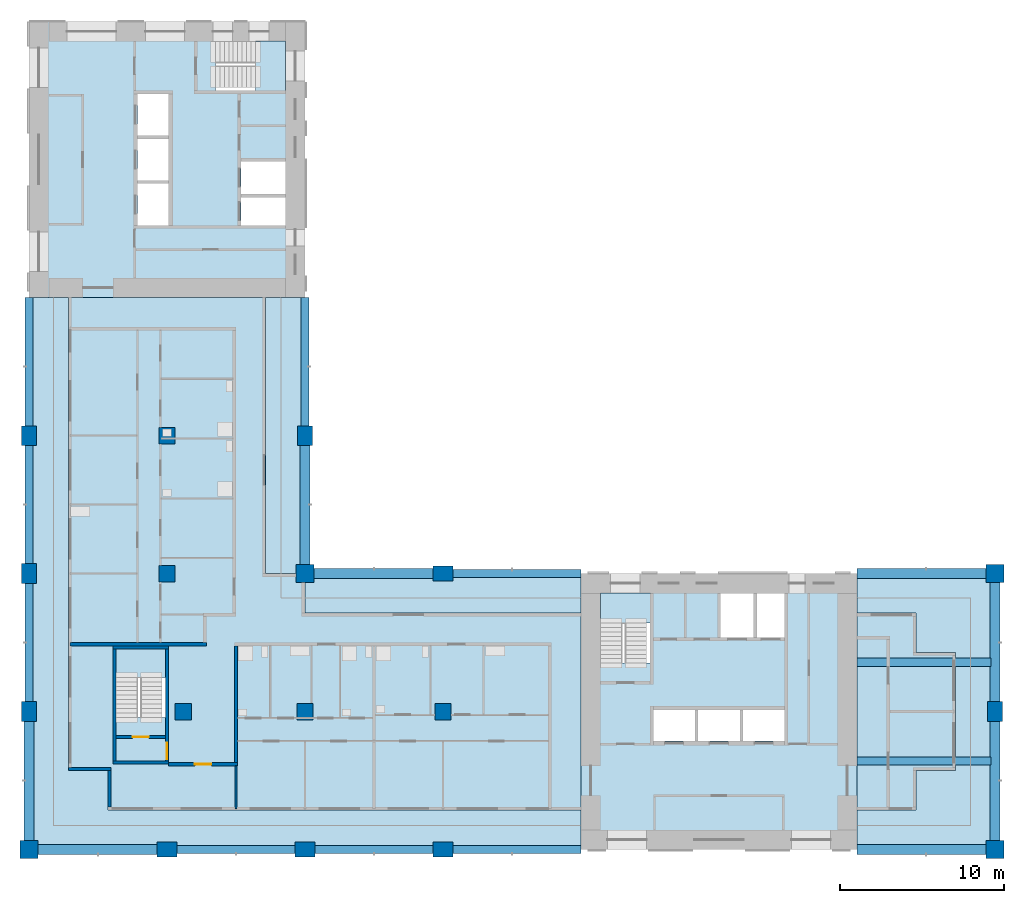
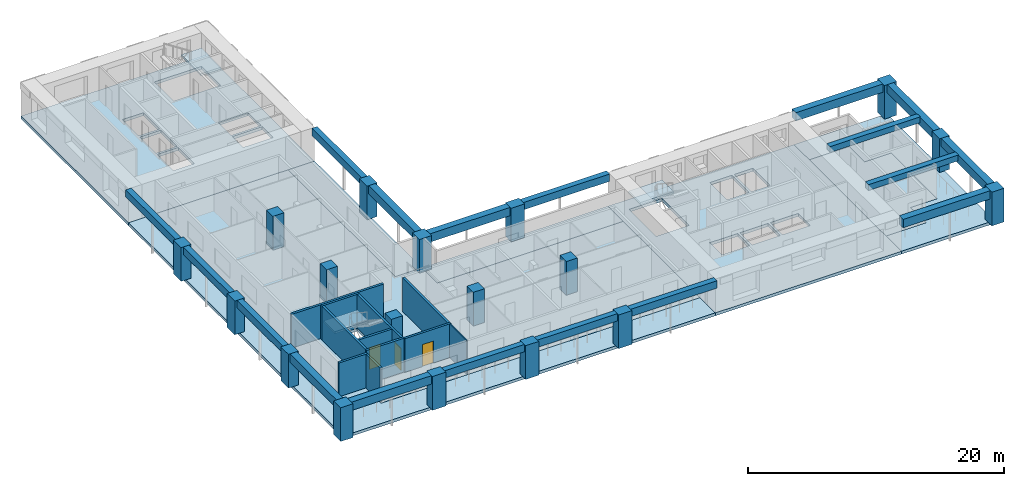
# One storey, part 1 of 10: 18 beams, 18 columns, 12 slabs, 11 walls, 3 doors, 3 openings, 3 elements without a shape of their own.
"""IFC4 building model written with IfcOpenShell, lengths in metres."""

from ifc_helpers import new_model, si_unit, direction, frame, frame_2d, origin, origin_2d, place, context, subcontext, project, spatial, polyline, rectangle, outline, extrude, material, layer, layer_set, material_profile, profile_set, type_object, element, fill, aggregate, save


model = new_model("IFC4")

# Units and contexts
model_context = context("Model", 3, precision=1e-05, world=origin(), true_north=direction((0.0, 1.0)))
body_context = subcontext(model_context, "Body", "Model", "MODEL_VIEW")
ifc_project = project(units=[si_unit("LENGTHUNIT", "METRE"), si_unit("AREAUNIT", "SQUARE_METRE"), si_unit("VOLUMEUNIT", "CUBIC_METRE"), si_unit("PLANEANGLEUNIT", "RADIAN"), si_unit("MASSUNIT", "GRAM", prefix="KILO")], contexts=[model_context])

# Site, building, storey
site_placement = place(None, origin())
site = spatial("IfcSite", under=ifc_project, at=site_placement, CompositionType="ELEMENT")
building_placement = place(site_placement, origin())
building = spatial("IfcBuilding", under=site, at=building_placement, Name="Vermilion Gate Residences", CompositionType="ELEMENT")
storey_placement = place(building_placement, frame((0.0, 0.0, 168.699951171875)))
storey = spatial("IfcBuildingStorey", under=building, at=storey_placement, Name="L43", CompositionType="ELEMENT", Elevation=168.699951171875)

# Columns
ifc_material_1 = material(Name="Concrete C60", Category="concrete")
ifc_material_profile_1 = material_profile(ifc_material_1, rectangle(XDim=1.0, YDim=1.0, at=origin_2d()), Name="RC-1000x1000")
ifc_profile_set_1 = profile_set([ifc_material_profile_1], Name="Concrete C60")
column_type_1 = type_object("IfcColumnType", Name="RC COLUMN 1000 X 1000 C60", PredefinedType="COLUMN", material=ifc_profile_set_1)
for number, where, z_axis, x_axis, name in (
    (1, (17.800048828125, 16.800048828125, 0.0), (0.0, 0.0, 1.0), (1.0, 0.0, 0.0), "Column 3-C L43"),
    (2, (16.800048828125, 25.199951171875, 0.0), (0.0, 0.0, 1.0), (1.0, 0.0, 0.0), "Column 3-D L43"),
    (3, (16.800048828125, 33.60009765625, 0.0), (0.0, 0.0, 1.0), (1.0, 0.0, 0.0), "Column 3-E L43"),
    (4, (25.199951171875, 16.800048828125, 0.0), (0.0, 0.0, 1.0), (1.0, 0.0, 0.0), "Column 4-C L43"),
    (5, (33.60009765625, 16.800048828125, 0.0), (0.0, 0.0, 1.0), (1.0, 0.0, 0.0), "Column 5-C L43"),
):
    element("IfcColumn", number, at=place(storey_placement, frame(where, z_axis=z_axis, x_axis=x_axis)), inside=storey, type_object=column_type_1, Name=name, PredefinedType="COLUMN", context=body_context, shape_type="SweptSolid", body=[
        extrude(rectangle(XDim=1.0, YDim=1.0, at=origin_2d()), origin(), (0.0, 0.0, 1.0), 3.219970703125),
    ])
ifc_material_2 = material(Name="Concrete C60", Category="concrete")
ifc_material_profile_2 = material_profile(ifc_material_2, rectangle(XDim=1.10009765625, YDim=1.10009765625, at=origin_2d()), Name="RC-1100x1100")
ifc_profile_set_2 = profile_set([ifc_material_profile_2], Name="Concrete C60")
column_type_2 = type_object("IfcColumnType", Name="RC COLUMN 1100 X 1100 C60", PredefinedType="COLUMN", material=ifc_profile_set_2)
for number, where, z_axis, x_axis, name in (
    (6, (8.39990234375, 8.39990234375, 0.0), (0.0, 0.0, 1.0), (1.0, 0.0, 0.0), "Column 2-B L43"),
    (7, (25.199951171875, 25.199951171875, 0.0), (0.0, 0.0, 1.0), (1.0, 0.0, 0.0), "Column 4-D L43"),
    (8, (67.199951171875, 8.39990234375, 0.0), (0.0, 0.0, 1.0), (1.0, 0.0, 0.0), "Column 9-B L43"),
    (9, (67.199951171875, 25.199951171875, 0.0), (0.0, 0.0, 1.0), (1.0, 0.0, 0.0), "Column 9-D L43"),
):
    element("IfcColumn", number, at=place(storey_placement, frame(where, z_axis=z_axis, x_axis=x_axis)), inside=storey, type_object=column_type_2, Name=name, PredefinedType="COLUMN", context=body_context, shape_type="SweptSolid", body=[
        extrude(rectangle(XDim=1.10009765625, YDim=1.10009765625, at=origin_2d()), origin(), (0.0, 0.0, 1.0), 3.219970703125),
    ])
ifc_material_3 = material(Name="Concrete C60", Category="concrete")
ifc_material_profile_3 = material_profile(ifc_material_3, rectangle(XDim=1.199951171875, YDim=0.89990234375, at=origin_2d()), Name="RC-1200x900")
ifc_profile_set_3 = profile_set([ifc_material_profile_3], Name="Concrete C60")
column_type_3 = type_object("IfcColumnType", Name="RC COLUMN 1200 X 900 C60", PredefinedType="COLUMN", material=ifc_profile_set_3)
for number, where, z_axis, x_axis, name in (
    (10, (8.39990234375, 16.800048828125, 0.0), (0.0, 0.0, 1.0), (0.0, 1.0, 0.0), "Column 2-C L43"),
    (11, (8.39990234375, 25.199951171875, 0.0), (0.0, 0.0, 1.0), (0.0, 1.0, 0.0), "Column 2-D L43"),
    (12, (8.39990234375, 33.60009765625, 0.0), (0.0, 0.0, 1.0), (0.0, 1.0, 0.0), "Column 2-E L43"),
    (13, (16.800048828125, 8.39990234375, 0.0), (0.0, 0.0, 1.0), (1.0, 0.0, 0.0), "Column 3-B L43"),
    (14, (25.199951171875, 8.39990234375, 0.0), (0.0, 0.0, 1.0), (1.0, 0.0, 0.0), "Column 4-B L43"),
    (15, (25.199951171875, 33.60009765625, 0.0), (0.0, 0.0, 1.0), (0.0, 1.0, 0.0), "Column 4-E L43"),
    (16, (33.60009765625, 8.39990234375, 0.0), (0.0, 0.0, 1.0), (1.0, 0.0, 0.0), "Column 5-B L43"),
    (17, (33.60009765625, 25.199951171875, 0.0), (0.0, 0.0, 1.0), (1.0, 0.0, 0.0), "Column 5-D L43"),
    (18, (67.199951171875, 16.800048828125, 0.0), (0.0, 0.0, 1.0), (0.0, 1.0, 0.0), "Column 9-C L43"),
):
    element("IfcColumn", number, at=place(storey_placement, frame(where, z_axis=z_axis, x_axis=x_axis)), inside=storey, type_object=column_type_3, Name=name, PredefinedType="COLUMN", context=body_context, shape_type="SweptSolid", body=[
        extrude(rectangle(XDim=1.199951171875, YDim=0.89990234375, at=origin_2d()), origin(), (0.0, 0.0, 1.0), 3.219970703125),
    ])

# Beams
ifc_material_4 = material(Name="Concrete C60 red-oxide pigmented", Category="concrete")
ifc_material_profile_4 = material_profile(ifc_material_4, rectangle(XDim=0.60009765625, YDim=0.800048828125, at=origin_2d()), Name="RC-600x800")
ifc_profile_set_4 = profile_set([ifc_material_profile_4], Name="Concrete C60 red-oxide pigmented")
beam_type_1 = type_object("IfcBeamType", Name="RC CORNER EDGE BEAM 600 X 800 C60", PredefinedType="BEAM", material=ifc_profile_set_4)
for number, where, z_axis, x_axis, name in (
    (19, (8.949951171875, 8.39990234375, 2.820068359375), (1.0, 0.0, 0.0), (0.0, 1.0, 0.0), "Corner edge beam L43 1"),
    (20, (8.39990234375, 8.949951171875, 2.820068359375), (0.0, 1.0, 0.0), (-1.0, 0.0, 0.0), "Corner edge beam L43 2"),
    (21, (25.199951171875, 25.75, 2.820068359375), (0.0, 1.0, 0.0), (-1.0, 0.0, 0.0), "Corner edge beam L43 7"),
    (22, (25.75, 25.199951171875, 2.820068359375), (1.0, 0.0, 0.0), (0.0, 1.0, 0.0), "Corner edge beam L43 10"),
):
    element("IfcBeam", number, at=place(storey_placement, frame(where, z_axis=z_axis, x_axis=x_axis)), inside=storey, type_object=beam_type_1, Name=name, PredefinedType="BEAM", context=body_context, shape_type="SweptSolid", body=[
        extrude(rectangle(XDim=0.60009765625, YDim=0.800048828125, at=origin_2d()), origin(), (0.0, 0.0, 1.0), 7.25),
    ])
beam_1_placement = place(storey_placement, frame((58.800048828125, 8.39990234375, 2.820068359375), z_axis=(1.0, 0.0, 0.0), x_axis=(0.0, 1.0, 0.0)))
element("IfcBeam", 23, at=beam_1_placement, inside=storey, type_object=beam_type_1, Name="Corner edge beam L43 13", PredefinedType="BEAM", context=body_context, shape_type="SweptSolid", body=[
    extrude(rectangle(XDim=0.60009765625, YDim=0.800048828125, at=origin_2d()), origin(), (0.0, 0.0, 1.0), 7.849853515625),
])
for number, where, z_axis, x_axis, name in (
    (24, (67.199951171875, 8.949951171875, 2.820068359375), (0.0, 1.0, 0.0), (-1.0, 0.0, 0.0), "Corner edge beam L43 14"),
    (25, (67.199951171875, 17.39990234375, 2.820068359375), (0.0, 1.0, 0.0), (-1.0, 0.0, 0.0), "Corner edge beam L43 15"),
):
    element("IfcBeam", number, at=place(storey_placement, frame(where, z_axis=z_axis, x_axis=x_axis)), inside=storey, type_object=beam_type_1, Name=name, PredefinedType="BEAM", context=body_context, shape_type="SweptSolid", body=[
        extrude(rectangle(XDim=0.60009765625, YDim=0.800048828125, at=origin_2d()), origin(), (0.0, 0.0, 1.0), 7.25),
    ])
beam_2_placement = place(storey_placement, frame((58.800048828125, 25.199951171875, 2.820068359375), z_axis=(1.0, 0.0, 0.0), x_axis=(0.0, 1.0, 0.0)))
element("IfcBeam", 26, at=beam_2_placement, inside=storey, type_object=beam_type_1, Name="Corner edge beam L43 16", PredefinedType="BEAM", context=body_context, shape_type="SweptSolid", body=[
    extrude(rectangle(XDim=0.60009765625, YDim=0.800048828125, at=origin_2d()), origin(), (0.0, 0.0, 1.0), 7.849853515625),
])
ifc_material_5 = material(Name="Concrete C60 red-oxide pigmented", Category="concrete")
ifc_material_profile_5 = material_profile(ifc_material_5, rectangle(XDim=0.5, YDim=0.699951171875, at=origin_2d()), Name="RC-500x700")
ifc_profile_set_5 = profile_set([ifc_material_profile_5], Name="Concrete C60 red-oxide pigmented")
beam_type_2 = type_object("IfcBeamType", Name="RC EDGE BEAM 500 X 700 C60", PredefinedType="BEAM", material=ifc_profile_set_5)
beam_3_placement = place(storey_placement, frame((8.39990234375, 17.39990234375, 2.8701171875), z_axis=(0.0, 1.0, 0.0), x_axis=(-1.0, 0.0, 0.0)))
element("IfcBeam", 27, at=beam_3_placement, inside=storey, type_object=beam_type_2, Name="Edge beam L43 3", PredefinedType="BEAM", context=body_context, shape_type="SweptSolid", body=[
    extrude(rectangle(XDim=0.5, YDim=0.699951171875, at=origin_2d()), origin(), (0.0, 0.0, 1.0), 7.2001953125),
])
beam_4_placement = place(storey_placement, frame((8.39990234375, 25.800048828125, 2.8701171875), z_axis=(0.0, 1.0, 0.0), x_axis=(-1.0, 0.0, 0.0)))
element("IfcBeam", 28, at=beam_4_placement, inside=storey, type_object=beam_type_2, Name="Edge beam L43 4", PredefinedType="BEAM", context=body_context, shape_type="SweptSolid", body=[
    extrude(rectangle(XDim=0.5, YDim=0.699951171875, at=origin_2d()), origin(), (0.0, 0.0, 1.0), 7.199951171875),
])
beam_5_placement = place(storey_placement, frame((8.39990234375, 34.199951171875, 2.8701171875), z_axis=(0.0, 1.0, 0.0), x_axis=(-1.0, 0.0, 0.0)))
element("IfcBeam", 29, at=beam_5_placement, inside=storey, type_object=beam_type_2, Name="Edge beam L43 5", PredefinedType="BEAM", context=body_context, shape_type="SweptSolid", body=[
    extrude(rectangle(XDim=0.5, YDim=0.699951171875, at=origin_2d()), origin(), (0.0, 0.0, 1.0), 7.800048828125),
])
beam_6_placement = place(storey_placement, frame((17.39990234375, 8.39990234375, 2.8701171875), z_axis=(1.0, 0.0, 0.0), x_axis=(0.0, 1.0, 0.0)))
element("IfcBeam", 30, at=beam_6_placement, inside=storey, type_object=beam_type_2, Name="Edge beam L43 6", PredefinedType="BEAM", context=body_context, shape_type="SweptSolid", body=[
    extrude(rectangle(XDim=0.5, YDim=0.699951171875, at=origin_2d()), origin(), (0.0, 0.0, 1.0), 7.2001953125),
])
beam_7_placement = place(storey_placement, frame((25.199951171875, 34.199951171875, 2.8701171875), z_axis=(0.0, 1.0, 0.0), x_axis=(-1.0, 0.0, 0.0)))
element("IfcBeam", 31, at=beam_7_placement, inside=storey, type_object=beam_type_2, Name="Edge beam L43 8", PredefinedType="BEAM", context=body_context, shape_type="SweptSolid", body=[
    extrude(rectangle(XDim=0.5, YDim=0.699951171875, at=origin_2d()), origin(), (0.0, 0.0, 1.0), 7.800048828125),
])
beam_8_placement = place(storey_placement, frame((25.800048828125, 8.39990234375, 2.8701171875), z_axis=(1.0, 0.0, 0.0), x_axis=(0.0, 1.0, 0.0)))
element("IfcBeam", 32, at=beam_8_placement, inside=storey, type_object=beam_type_2, Name="Edge beam L43 9", PredefinedType="BEAM", context=body_context, shape_type="SweptSolid", body=[
    extrude(rectangle(XDim=0.5, YDim=0.699951171875, at=origin_2d()), origin(), (0.0, 0.0, 1.0), 7.199951171875),
])
for number, where, z_axis, x_axis, name in (
    (33, (34.199951171875, 8.39990234375, 2.8701171875), (1.0, 0.0, 0.0), (0.0, 1.0, 0.0), "Edge beam L43 11"),
    (34, (34.199951171875, 25.199951171875, 2.8701171875), (1.0, 0.0, 0.0), (0.0, 1.0, 0.0), "Edge beam L43 12"),
):
    element("IfcBeam", number, at=place(storey_placement, frame(where, z_axis=z_axis, x_axis=x_axis)), inside=storey, type_object=beam_type_2, Name=name, PredefinedType="BEAM", context=body_context, shape_type="SweptSolid", body=[
        extrude(rectangle(XDim=0.5, YDim=0.699951171875, at=origin_2d()), origin(), (0.0, 0.0, 1.0), 7.800048828125),
    ])
ifc_material_6 = material(Name="Concrete C60", Category="concrete")
ifc_material_profile_6 = material_profile(ifc_material_6, rectangle(XDim=0.5, YDim=0.550048828125, at=origin_2d()), Name="RC-500x550")
ifc_profile_set_6 = profile_set([ifc_material_profile_6], Name="Concrete C60")
beam_type_3 = type_object("IfcBeamType", Name="RC WING BEAM 500 X 550 C60", PredefinedType="BEAM", material=ifc_profile_set_6)
for number, where, z_axis, x_axis, name in (
    (35, (58.800048828125, 13.800048828125, 2.945068359375), (1.0, 0.0, 0.0), (0.0, 1.0, 0.0), "Wing-end beam L43 1"),
    (36, (58.800048828125, 19.800048828125, 2.945068359375), (1.0, 0.0, 0.0), (0.0, 1.0, 0.0), "Wing-end beam L43 2"),
):
    element("IfcBeam", number, at=place(storey_placement, frame(where, z_axis=z_axis, x_axis=x_axis)), inside=storey, type_object=beam_type_3, Name=name, PredefinedType="BEAM", context=body_context, shape_type="SweptSolid", body=[
        extrude(rectangle(XDim=0.5, YDim=0.550048828125, at=origin_2d()), origin(), (0.0, 0.0, 1.0), 8.14990234375),
    ])

# Slabs
ifc_material_7 = material(Name="Concrete C50", Category="concrete")
ifc_layer_1 = layer(ifc_material_7, 0.280029296875)
ifc_layer_set_1 = layer_set([ifc_layer_1], Name="RC CORE FLOOR SLAB 280 C50")
slab_type_1 = type_object("IfcSlabType", Name="RC CORE FLOOR SLAB 280 C50", PredefinedType="FLOOR", material=ifc_layer_set_1)
slab_1_placement = place(storey_placement, frame((0.0, 0.0, -0.280029296875)))
element("IfcSlab", 37, at=slab_1_placement, inside=storey, type_object=slab_type_1, Name="Core floor slab A43", PredefinedType="FLOOR", context=body_context, shape_type="SweptSolid", body=[
    extrude(outline(polyline([(42.0, 8.39990234375), (58.800048828125, 8.39990234375), (58.800048828125, 25.199951171875), (42.0, 25.199951171875), (42.0, 8.39990234375)]), holes=[polyline([(46.39990234375, 15.0), (46.39990234375, 16.89990234375), (48.933349609375, 16.89990234375), (48.933349609375, 15.0), (46.39990234375, 15.0)]), polyline([(49.13330078125, 16.89990234375), (51.666748046875, 16.89990234375), (51.666748046875, 15.0), (49.13330078125, 15.0), (49.13330078125, 16.89990234375)]), polyline([(51.86669921875, 16.89990234375), (54.39990234375, 16.89990234375), (54.39990234375, 15.0), (51.86669921875, 15.0), (51.86669921875, 16.89990234375)]), polyline([(43.199951171875, 19.75), (43.199951171875, 24.0), (46.199951171875, 24.0), (46.199951171875, 19.75), (43.199951171875, 19.75)]), polyline([(50.5, 24.0), (52.5, 24.0), (52.5, 21.300048828125), (50.5, 21.300048828125), (50.5, 24.0)]), polyline([(52.699951171875, 24.0), (54.39990234375, 24.0), (54.39990234375, 21.300048828125), (52.699951171875, 21.300048828125), (52.699951171875, 24.0)])]), origin(), (0.0, 0.0, 1.0), 0.280029296875),
])
slab_2_placement = place(storey_placement, frame((0.0, 0.0, -0.280029296875)))
element("IfcSlab", 38, at=slab_2_placement, inside=storey, type_object=slab_type_1, Name="Core floor slab B43", PredefinedType="FLOOR", context=body_context, shape_type="SweptSolid", body=[
    extrude(outline(polyline([(8.39990234375, 42.0), (25.199951171875, 42.0), (25.199951171875, 58.800048828125), (8.39990234375, 58.800048828125), (8.39990234375, 42.0)]), holes=[polyline([(21.300048828125, 46.39990234375), (21.300048828125, 48.10009765625), (24.0, 48.10009765625), (24.0, 46.39990234375), (21.300048828125, 46.39990234375)]), polyline([(15.0, 48.933349609375), (16.89990234375, 48.933349609375), (16.89990234375, 46.39990234375), (15.0, 46.39990234375), (15.0, 48.933349609375)]), polyline([(21.300048828125, 50.300048828125), (24.0, 50.300048828125), (24.0, 48.300048828125), (21.300048828125, 48.300048828125), (21.300048828125, 50.300048828125)]), polyline([(15.0, 49.13330078125), (15.0, 51.666748046875), (16.89990234375, 51.666748046875), (16.89990234375, 49.13330078125), (15.0, 49.13330078125)]), polyline([(15.0, 54.39990234375), (16.89990234375, 54.39990234375), (16.89990234375, 51.86669921875), (15.0, 51.86669921875), (15.0, 54.39990234375)]), polyline([(19.75, 57.60009765625), (24.0, 57.60009765625), (24.0, 54.60009765625), (19.75, 54.60009765625), (19.75, 57.60009765625)])]), origin(), (0.0, 0.0, 1.0), 0.280029296875),
])
slab_3_placement = place(storey_placement, frame((0.0, 0.0, -0.280029296875)))
element("IfcSlab", 39, at=slab_3_placement, inside=storey, type_object=slab_type_1, Name="Apex stair floor slab 43", PredefinedType="FLOOR", context=body_context, shape_type="SweptSolid", body=[
    extrude(outline(polyline([(13.5, 13.60009765625), (16.89990234375, 13.60009765625), (16.89990234375, 20.800048828125), (13.5, 20.800048828125), (13.5, 13.60009765625)]), holes=[polyline([(16.699951171875, 20.60009765625), (16.699951171875, 16.449951171875), (13.699951171875, 16.449951171875), (13.699951171875, 20.60009765625), (16.699951171875, 20.60009765625)])]), origin(), (0.0, 0.0, 1.0), 0.280029296875),
])
ifc_material_8 = material(Name="Concrete C50", Category="concrete")
ifc_layer_2 = layer(ifc_material_8, 0.280029296875)
ifc_layer_set_2 = layer_set([ifc_layer_2], Name="RC FLAT PLATE 280 C50")
slab_type_2 = type_object("IfcSlabType", Name="RC FLAT PLATE 280 C50", PredefinedType="FLOOR", material=ifc_layer_set_2)
slab_4_placement = place(storey_placement, frame((0.0, 0.0, -0.280029296875)))
element("IfcSlab", 40, at=slab_4_placement, inside=storey, type_object=slab_type_2, Name="Floor slab L43", PredefinedType="FLOOR", context=body_context, shape_type="SweptSolid", body=[
    extrude(outline(polyline([(22.800048828125, 25.199951171875), (22.800048828125, 42.0), (10.800048828125, 42.0), (10.800048828125, 13.199951171875), (13.199951171875, 13.199951171875), (13.199951171875, 10.800048828125), (42.0, 10.800048828125), (42.0, 22.800048828125), (25.199951171875, 22.800048828125), (25.199951171875, 25.199951171875), (22.800048828125, 25.199951171875)]), holes=[polyline([(13.5, 13.60009765625), (13.5, 20.800048828125), (16.89990234375, 20.800048828125), (16.89990234375, 13.60009765625), (13.5, 13.60009765625)])]), origin(), (0.0, 0.0, 1.0), 0.280029296875),
])
slab_5_placement = place(storey_placement, frame((0.0, 0.0, -0.280029296875)))
element("IfcSlab", 41, at=slab_5_placement, inside=storey, type_object=slab_type_2, Name="Floor slab L43", PredefinedType="FLOOR", context=body_context, shape_type="SweptSolid", body=[
    extrude(outline(polyline([(58.800048828125, 22.800048828125), (58.800048828125, 10.800048828125), (62.39990234375, 10.800048828125), (62.39990234375, 13.199951171875), (64.800048828125, 13.199951171875), (64.800048828125, 20.39990234375), (62.39990234375, 20.39990234375), (62.39990234375, 22.800048828125), (58.800048828125, 22.800048828125)])), origin(), (0.0, 0.0, 1.0), 0.280029296875),
])
ifc_material_9 = material(Name="Concrete C50 red-oxide pigmented", Category="concrete")
ifc_layer_3 = layer(ifc_material_9, 0.280029296875)
ifc_layer_set_3 = layer_set([ifc_layer_3], Name="RC LOGGIA SLAB 280 C50")
slab_type_3 = type_object("IfcSlabType", Name="RC LOGGIA SLAB 280 C50", PredefinedType="FLOOR", material=ifc_layer_set_3)
slab_6_placement = place(storey_placement, frame((0.0, 0.0, -0.280029296875)))
element("IfcSlab", 42, at=slab_6_placement, inside=storey, type_object=slab_type_3, Name="Loggia slab L43", PredefinedType="FLOOR", context=body_context, shape_type="SweptSolid", body=[
    extrude(outline(polyline([(8.39990234375, 42.0), (8.39990234375, 8.39990234375), (42.0, 8.39990234375), (42.0, 10.800048828125), (13.199951171875, 10.800048828125), (13.199951171875, 13.199951171875), (10.800048828125, 13.199951171875), (10.800048828125, 42.0), (8.39990234375, 42.0)])), origin(), (0.0, 0.0, 1.0), 0.280029296875),
])
slab_7_placement = place(storey_placement, frame((0.0, 0.0, -0.280029296875)))
element("IfcSlab", 43, at=slab_7_placement, inside=storey, type_object=slab_type_3, Name="Loggia slab L43", PredefinedType="FLOOR", context=body_context, shape_type="SweptSolid", body=[
    extrude(outline(polyline([(64.800048828125, 13.199951171875), (62.39990234375, 13.199951171875), (62.39990234375, 10.800048828125), (58.800048828125, 10.800048828125), (58.800048828125, 8.39990234375), (67.199951171875, 8.39990234375), (67.199951171875, 25.199951171875), (58.800048828125, 25.199951171875), (58.800048828125, 22.800048828125), (62.39990234375, 22.800048828125), (62.39990234375, 20.39990234375), (64.800048828125, 20.39990234375), (64.800048828125, 13.199951171875)])), origin(), (0.0, 0.0, 1.0), 0.280029296875),
])
slab_8_placement = place(storey_placement, frame((0.0, 0.0, -0.280029296875)))
element("IfcSlab", 44, at=slab_8_placement, inside=storey, type_object=slab_type_3, Name="Loggia slab L43", PredefinedType="FLOOR", context=body_context, shape_type="SweptSolid", body=[
    extrude(outline(polyline([(42.0, 25.199951171875), (25.199951171875, 25.199951171875), (25.199951171875, 22.800048828125), (42.0, 22.800048828125), (42.0, 25.199951171875)])), origin(), (0.0, 0.0, 1.0), 0.280029296875),
])
slab_9_placement = place(storey_placement, frame((0.0, 0.0, -0.280029296875)))
element("IfcSlab", 45, at=slab_9_placement, inside=storey, type_object=slab_type_3, Name="Loggia slab L43", PredefinedType="FLOOR", context=body_context, shape_type="SweptSolid", body=[
    extrude(outline(polyline([(22.800048828125, 42.0), (22.800048828125, 25.199951171875), (25.199951171875, 25.199951171875), (25.199951171875, 42.0), (22.800048828125, 42.0)])), origin(), (0.0, 0.0, 1.0), 0.280029296875),
])

# Stair, slab
ifc_material_10 = material(Name="Concrete C50", Category="concrete")
stair_type = type_object("IfcStairType", Name="SPECIAL ESCAPE STAIR 1300", PredefinedType="HALF_TURN_STAIR", material=ifc_material_10)
stair_1_placement = place(storey_placement, origin())
stair_1 = element("IfcStair", 46, at=stair_1_placement, inside=storey, type_object=stair_type, Name="Special escape stair STA1-43", PredefinedType="HALF_TURN_STAIR")
ifc_material_11 = material(Name="Concrete C50", Category="concrete")
ifc_layer_4 = layer(ifc_material_11, 0.199951171875)
ifc_layer_set_4 = layer_set([ifc_layer_4], Name="STAIR LANDING 200 C50")
slab_type_4 = type_object("IfcSlabType", Name="STAIR LANDING 200 C50", PredefinedType="LANDING", material=ifc_layer_set_4)
slab_10_placement = place(storey_placement, frame((0.0, 0.0, 1.550048828125)))
slab_10 = element("IfcSlab", 47, at=slab_10_placement, type_object=slab_type_4, Name="STA1-43 landing 1", PredefinedType="LANDING", context=body_context, shape_type="SweptSolid", body=[
    extrude(outline(polyline([(46.219970703125, 22.179931640625), (46.219970703125, 24.02001953125), (43.179931640625, 24.02001953125), (43.179931640625, 22.179931640625), (46.219970703125, 22.179931640625)])), origin(), (0.0, 0.0, 1.0), 0.199951171875),
])
aggregate(stair_1, [slab_10])

stair_2_placement = place(storey_placement, origin())
stair_2 = element("IfcStair", 48, at=stair_2_placement, inside=storey, type_object=stair_type, Name="Special escape stair STB1-43", PredefinedType="HALF_TURN_STAIR")
slab_11_placement = place(storey_placement, frame((0.0, 0.0, 1.550048828125)))
slab_11 = element("IfcSlab", 49, at=slab_11_placement, type_object=slab_type_4, Name="STB1-43 landing 1", PredefinedType="LANDING", context=body_context, shape_type="SweptSolid", body=[
    extrude(outline(polyline([(24.02001953125, 54.580078125), (24.02001953125, 57.6201171875), (22.179931640625, 57.6201171875), (22.179931640625, 54.580078125), (24.02001953125, 54.580078125)])), origin(), (0.0, 0.0, 1.0), 0.199951171875),
])
aggregate(stair_2, [slab_11])

stair_3_placement = place(storey_placement, origin())
stair_3 = element("IfcStair", 50, at=stair_3_placement, inside=storey, type_object=stair_type, Name="Special escape stair STC1-43", PredefinedType="HALF_TURN_STAIR")
slab_12_placement = place(storey_placement, frame((0.0, 0.0, 1.550048828125)))
slab_12 = element("IfcSlab", 51, at=slab_12_placement, type_object=slab_type_4, Name="STC1-43 landing 1", PredefinedType="LANDING", context=body_context, shape_type="SweptSolid", body=[
    extrude(outline(polyline([(16.719970703125, 18.8798828125), (16.719970703125, 20.6201171875), (13.679931640625, 20.6201171875), (13.679931640625, 18.8798828125), (16.719970703125, 18.8798828125)])), origin(), (0.0, 0.0, 1.0), 0.199951171875),
])
aggregate(stair_3, [slab_12])

# Walls
ifc_material_12 = material(Name="Insulated steel stud wall with terracotta rainscreen", Category="masonry")
ifc_layer_5 = layer(ifc_material_12, 0.199951171875)
ifc_layer_set_5 = layer_set([ifc_layer_5], Name="EXTERNAL WALL 200 TERRACOTTA RAINSCREEN")
wall_type_1 = type_object("IfcWallType", Name="EXTERNAL WALL 200 TERRACOTTA RAINSCREEN", PredefinedType="SOLIDWALL", material=ifc_layer_set_5)
wall_1_placement = place(storey_placement, frame((10.800048828125, 13.300048828125, 0.0), z_axis=(0.0, 0.0, 1.0), x_axis=(1.0, 0.0, 0.0)))
element("IfcWall", 52, at=wall_1_placement, inside=storey, type_object=wall_type_1, Name="External wall", PredefinedType="SOLIDWALL", context=body_context, shape_type="SweptSolid", body=[
    extrude(rectangle(XDim=2.599853515625, YDim=0.199951171875, at=frame_2d((1.2998046875, 0.0))), origin(), (0.0, 0.0, 1.0), 3.219970703125),
])
wall_2_placement = place(storey_placement, frame((13.300048828125, 13.199951171875, 0.0), z_axis=(0.0, 0.0, 1.0), x_axis=(0.0, -1.0, 0.0)))
element("IfcWall", 53, at=wall_2_placement, inside=storey, type_object=wall_type_1, Name="External wall", PredefinedType="SOLIDWALL", context=body_context, shape_type="SweptSolid", body=[
    extrude(rectangle(XDim=2.199951171875, YDim=0.199951171875, at=frame_2d((1.10009765625, 0.0))), origin(), (0.0, 0.0, 1.0), 3.219970703125),
])
ifc_material_13 = material(Name="Plasterboard on steel studs", Category="steel")
ifc_layer_6 = layer(ifc_material_13, 0.10009765625)
ifc_layer_set_6 = layer_set([ifc_layer_6], Name="PARTITION 100")
wall_type_2 = type_object("IfcWallType", Name="PARTITION 100", PredefinedType="PARTITIONING", material=ifc_layer_set_6)
wall_3_placement = place(storey_placement, frame((21.0, 10.89990234375, 0.0), z_axis=(0.0, 0.0, 1.0), x_axis=(0.0, 1.0, 0.0)))
element("IfcWall", 54, at=wall_3_placement, inside=storey, type_object=wall_type_2, Name="Partition", PredefinedType="PARTITIONING", context=body_context, shape_type="SweptSolid", body=[
    extrude(rectangle(XDim=2.60009765625, YDim=0.10009765625, at=frame_2d((1.300048828125, 0.0))), origin(), (0.0, 0.0, 1.0), 3.219970703125),
])

# Wall, opening, door
ifc_material_14 = material(Name="Fire-rated plasterboard on steel studs", Category="steel")
ifc_layer_7 = layer(ifc_material_14, 0.199951171875)
ifc_layer_set_7 = layer_set([ifc_layer_7], Name="PARTY WALL 200 EI 120")
wall_type_3 = type_object("IfcWallType", Name="PARTY WALL 200 EI 120", PredefinedType="PARTITIONING", material=ifc_layer_set_7)
wall_4_placement = place(storey_placement, frame((16.89990234375, 13.60009765625, 0.0), z_axis=(0.0, 0.0, 1.0), x_axis=(1.0, 0.0, 0.0)))
wall_4 = element("IfcWall", 55, at=wall_4_placement, inside=storey, type_object=wall_type_3, Name="Party and corridor wall", PredefinedType="PARTITIONING", context=body_context, shape_type="SweptSolid", body=[
    extrude(rectangle(XDim=4.2001953125, YDim=0.199951171875, at=frame_2d((2.10009765625, 0.0))), origin(), (0.0, 0.0, 1.0), 3.219970703125),
])
opening_1_placement = place(wall_4_placement, frame((1.60009765625, 0.0, 0.0)))
opening_1 = element("IfcOpeningElement", 56, at=opening_1_placement, cuts=wall_4, Name="Opening DA43001", PredefinedType="OPENING", context=body_context, shape_type="SweptSolid", body=[
    extrude(rectangle(XDim=1.0, YDim=2.10009765625, at=frame_2d((0.5, 1.050048828125))), frame((0.0, 0.10986328125, 0.0), z_axis=(0.0, -1.0, 0.0), x_axis=(1.0, 0.0, 0.0)), (0.0, 0.0, 1.0), 0.219970703125),
])
ifc_material_15 = material(Name="Steel", Category="steel")
door_type_1 = type_object("IfcDoorType", Name="ENTRANCE DOOR 1000 X 2100 FD30", OperationType="SINGLE_SWING_LEFT", PredefinedType="DOOR", material=ifc_material_15)
door_1_placement = place(opening_1_placement, frame((1.0, 0.0, 0.0), z_axis=(0.0, 0.0, 1.0), x_axis=(-1.0, 0.0, 0.0)))
door_1 = element("IfcDoor", 57, at=door_1_placement, inside=storey, type_object=door_type_1, Name="Entrance door", OperationType="SINGLE_SWING_LEFT", OverallHeight=2.10009765625, OverallWidth=1.0, PredefinedType="DOOR", context=body_context, shape_type="SweptSolid", body=[
    extrude(rectangle(XDim=1.0, YDim=2.10009765625, at=frame_2d((0.5, 1.050048828125))), frame((0.0, 0.02490234375, 0.0), z_axis=(0.0, -1.0, 0.0), x_axis=(1.0, 0.0, 0.0)), (0.0, 0.0, 1.0), 0.050048828125),
])
fill(opening_1, door_1)

# Walls
wall_5_placement = place(storey_placement, frame((10.89990234375, 20.89990234375, 0.0), z_axis=(0.0, 0.0, 1.0), x_axis=(1.0, 0.0, 0.0)))
element("IfcWall", 58, at=wall_5_placement, inside=storey, type_object=wall_type_3, Name="Party and corridor wall", PredefinedType="PARTITIONING", context=body_context, shape_type="SweptSolid", body=[
    extrude(rectangle(XDim=8.300048828125, YDim=0.199951171875, at=frame_2d((4.14990234375, 0.0))), origin(), (0.0, 0.0, 1.0), 3.219970703125),
])
wall_6_placement = place(storey_placement, frame((21.0, 13.699951171875, 0.0), z_axis=(0.0, 0.0, 1.0), x_axis=(0.0, 1.0, 0.0)))
element("IfcWall", 59, at=wall_6_placement, inside=storey, type_object=wall_type_3, Name="Party and corridor wall", PredefinedType="PARTITIONING", context=body_context, shape_type="SweptSolid", body=[
    extrude(rectangle(XDim=7.10009765625, YDim=0.199951171875, at=frame_2d((3.550048828125, 0.0))), origin(), (0.0, 0.0, 1.0), 3.219970703125),
])
ifc_material_16 = material(Name="Concrete C60", Category="concrete")
ifc_layer_8 = layer(ifc_material_16, 0.199951171875)
ifc_layer_set_8 = layer_set([ifc_layer_8], Name="RC CORE INTERNAL WALL 200 C60")
wall_type_4 = type_object("IfcWallType", Name="RC CORE INTERNAL WALL 200 C60", PredefinedType="SHEAR", material=ifc_layer_set_8)
wall_7_placement = place(storey_placement, frame((13.60009765625, 13.800048828125, 0.0), z_axis=(0.0, 0.0, 1.0), x_axis=(0.0, 1.0, 0.0)))
element("IfcWall", 60, at=wall_7_placement, inside=storey, type_object=wall_type_4, Name="Core internal wall C43-W", PredefinedType="SHEAR", context=body_context, shape_type="SweptSolid", body=[
    extrude(rectangle(XDim=6.800048828125, YDim=0.199951171875, at=frame_2d((3.39990234375, 0.0))), origin(), (0.0, 0.0, 1.0), 3.219970703125),
])

# Wall, opening, door
wall_8_placement = place(storey_placement, frame((16.800048828125, 13.800048828125, 0.0), z_axis=(0.0, 0.0, 1.0), x_axis=(0.0, 1.0, 0.0)))
wall_8 = element("IfcWall", 61, at=wall_8_placement, inside=storey, type_object=wall_type_4, Name="Core internal wall C43-E", PredefinedType="SHEAR", context=body_context, shape_type="SweptSolid", body=[
    extrude(rectangle(XDim=6.800048828125, YDim=0.199951171875, at=frame_2d((3.39990234375, 0.0))), origin(), (0.0, 0.0, 1.0), 3.219970703125),
])
opening_2_placement = place(wall_8_placement, frame((0.10009765625, 0.0, 0.0)))
opening_2 = element("IfcOpeningElement", 62, at=opening_2_placement, cuts=wall_8, Name="Opening DK43201", PredefinedType="OPENING", context=body_context, shape_type="SweptSolid", body=[
    extrude(rectangle(XDim=1.0, YDim=2.10009765625, at=frame_2d((0.5, 1.050048828125))), frame((0.0, 0.10986328125, 0.0), z_axis=(0.0, -1.0, 0.0), x_axis=(1.0, 0.0, 0.0)), (0.0, 0.0, 1.0), 0.219970703125),
])
ifc_material_17 = material(Name="Steel", Category="steel")
door_type_2 = type_object("IfcDoorType", Name="FIRE DOOR FD60 1000 X 2100", OperationType="SINGLE_SWING_LEFT", PredefinedType="DOOR", material=ifc_material_17)
door_2_placement = place(opening_2_placement, frame((1.0, 0.0, 0.0), z_axis=(0.0, 0.0, 1.0), x_axis=(-1.0, 0.0, 0.0)))
door_2 = element("IfcDoor", 63, at=door_2_placement, inside=storey, type_object=door_type_2, Name="Stair vestibule door C43", OperationType="SINGLE_SWING_RIGHT", OverallHeight=2.10009765625, OverallWidth=1.0, PredefinedType="DOOR", context=body_context, shape_type="SweptSolid", body=[
    extrude(rectangle(XDim=1.0, YDim=2.10009765625, at=frame_2d((0.5, 1.050048828125))), frame((0.0, 0.02490234375, 0.0), z_axis=(0.0, -1.0, 0.0), x_axis=(1.0, 0.0, 0.0)), (0.0, 0.0, 1.0), 0.050048828125),
])
fill(opening_2, door_2)

# Walls
for number, where, z_axis, x_axis, name in (
    (64, (13.5, 13.699951171875, 0.0), (0.0, 0.0, 1.0), (1.0, 0.0, 0.0), "Core internal wall C43-S"),
    (65, (13.5, 20.699951171875, 0.0), (0.0, 0.0, 1.0), (1.0, 0.0, 0.0), "Core internal wall C43-N"),
):
    element("IfcWall", number, at=place(storey_placement, frame(where, z_axis=z_axis, x_axis=x_axis)), inside=storey, type_object=wall_type_4, Name=name, PredefinedType="SHEAR", context=body_context, shape_type="SweptSolid", body=[
        extrude(rectangle(XDim=3.39990234375, YDim=0.199951171875, at=frame_2d((1.699951171875, 0.0))), origin(), (0.0, 0.0, 1.0), 3.219970703125),
    ])

# Wall, opening, door
wall_9_placement = place(storey_placement, frame((13.699951171875, 15.25, 0.0), z_axis=(0.0, 0.0, 1.0), x_axis=(1.0, 0.0, 0.0)))
wall_9 = element("IfcWall", 66, at=wall_9_placement, inside=storey, type_object=wall_type_4, Name="Core internal wall C43-P", PredefinedType="SHEAR", context=body_context, shape_type="SweptSolid", body=[
    extrude(rectangle(XDim=3.0, YDim=0.199951171875, at=frame_2d((1.5, 0.0))), origin(), (0.0, 0.0, 1.0), 3.219970703125),
])
opening_3_placement = place(wall_9_placement, frame((1.0, 0.0, 0.0)))
opening_3 = element("IfcOpeningElement", 67, at=opening_3_placement, cuts=wall_9, Name="Opening DK43202", PredefinedType="OPENING", context=body_context, shape_type="SweptSolid", body=[
    extrude(rectangle(XDim=1.0, YDim=2.10009765625, at=frame_2d((0.5, 1.050048828125))), frame((0.0, 0.10986328125, 0.0), z_axis=(0.0, -1.0, 0.0), x_axis=(1.0, 0.0, 0.0)), (0.0, 0.0, 1.0), 0.219970703125),
])
door_3_placement = place(opening_3_placement, origin())
door_3 = element("IfcDoor", 68, at=door_3_placement, inside=storey, type_object=door_type_2, Name="Stair door C43", OperationType="SINGLE_SWING_LEFT", OverallHeight=2.10009765625, OverallWidth=1.0, PredefinedType="DOOR", context=body_context, shape_type="SweptSolid", body=[
    extrude(rectangle(XDim=1.0, YDim=2.10009765625, at=frame_2d((0.5, 1.050048828125))), frame((0.0, 0.02490234375, 0.0), z_axis=(0.0, -1.0, 0.0), x_axis=(1.0, 0.0, 0.0)), (0.0, 0.0, 1.0), 0.050048828125),
])
fill(opening_3, door_3)

save(model, "model.ifc")
